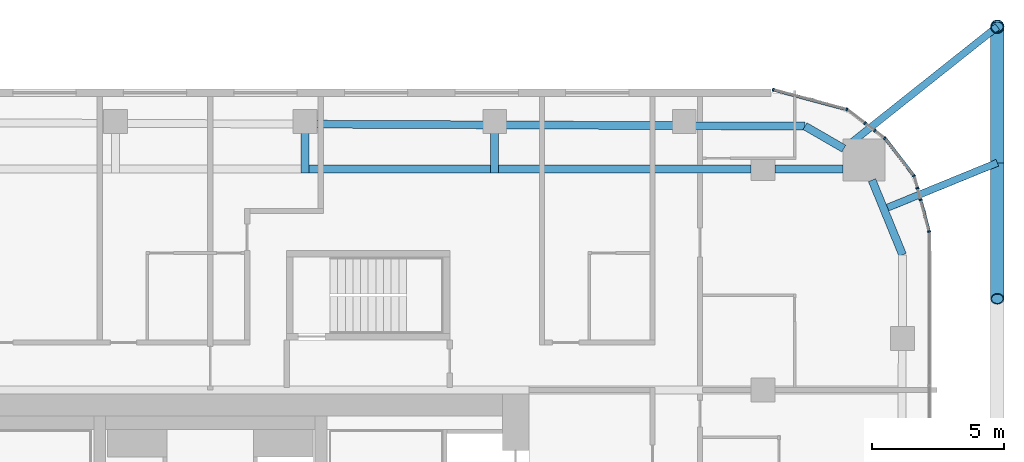
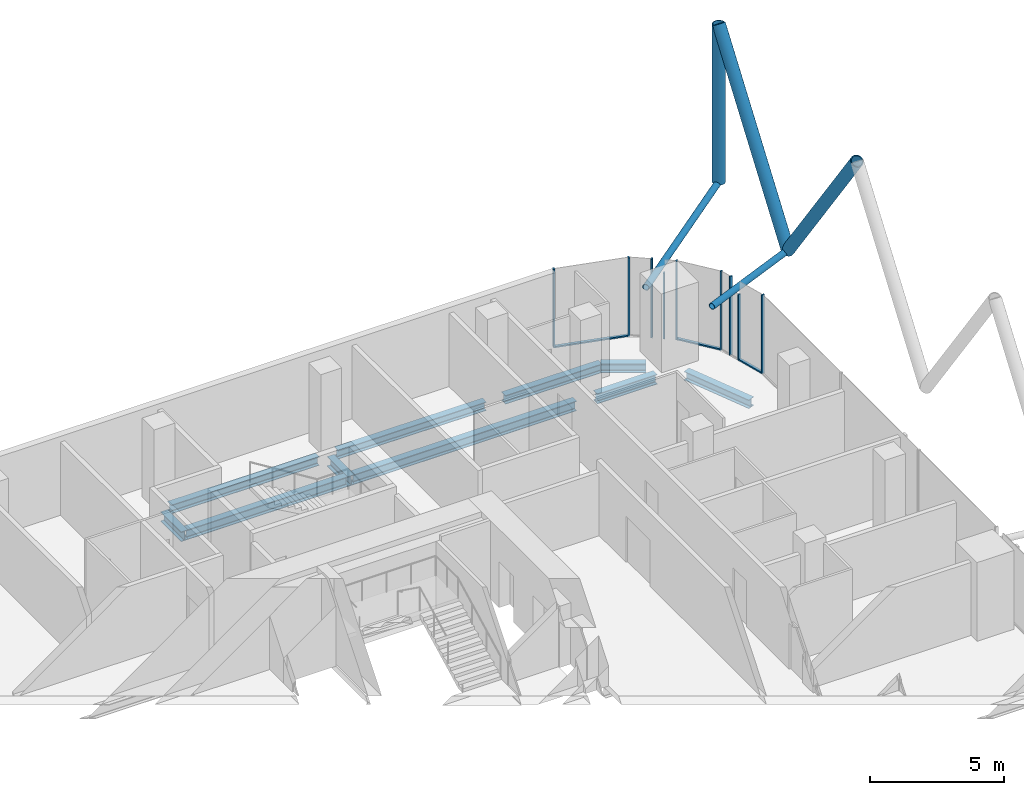
# One storey, part 14 of 36: 17 members, 10 beams, 8 elements without a shape of their own.
"""IFC4 building model written with IfcOpenShell, lengths in metres."""

from ifc_helpers import new_model, si_unit, direction, frame, origin, origin_2d, place, context, subcontext, project, spatial, rectangle, hollow_circle, i_section, extrude, material, layer, layer_set, material_profile, profile_set, type_object, element, aggregate, save


model = new_model("IFC4")

# Units and contexts
model_context = context("Model", 3, precision=1e-05, world=origin(), true_north=direction((0.0, 1.0)))
body_context = subcontext(model_context, "Body", "Model", "MODEL_VIEW")
ifc_project = project(units=[si_unit("LENGTHUNIT", "METRE"), si_unit("AREAUNIT", "SQUARE_METRE"), si_unit("VOLUMEUNIT", "CUBIC_METRE"), si_unit("PLANEANGLEUNIT", "RADIAN"), si_unit("MASSUNIT", "GRAM", prefix="KILO")], contexts=[model_context])

# Site, building, storey
site_placement = place(None, origin())
site = spatial("IfcSite", under=ifc_project, at=site_placement, CompositionType="ELEMENT")
building_placement = place(site_placement, origin())
building = spatial("IfcBuilding", under=site, at=building_placement, Name="Marenta Gate Hotel Tower", CompositionType="ELEMENT")
storey_placement = place(building_placement, frame((0.0, 0.0, 144.5)))
storey = spatial("IfcBuildingStorey", under=building, at=storey_placement, Name="L33", CompositionType="ELEMENT", Elevation=144.5)

# Members
ifc_material_1 = material(Name="Steel S355J2W", Category="steel")
ifc_material_profile_1 = material_profile(ifc_material_1, hollow_circle(Radius=0.25390625, WallThickness=0.02490234375, at=origin_2d()), Name="CHS 508x25")
ifc_profile_set_1 = profile_set([ifc_material_profile_1], Name="Steel S355J2W")
member_type_1 = type_object("IfcMemberType", Name="Diagrid corner post Z2 CHS 508x25", PredefinedType="POST", material=ifc_profile_set_1)
member_1_placement = place(storey_placement, frame((29.89990234375, 30.60009765625, 3.139892578125), z_axis=(0.0, 0.0, 1.0), x_axis=(1.0, 0.0, 0.0)))
element("IfcMember", 1, at=member_1_placement, inside=storey, type_object=member_type_1, Name="L33-DR-1", PredefinedType="POST", context=body_context, shape_type="SweptSolid", body=[
    extrude(hollow_circle(Radius=0.25390625, WallThickness=0.02490234375, at=origin_2d()), origin(), (0.0, 0.0, 1.0), 7.2001953125),
])
ifc_material_2 = material(Name="Steel S355J2W", Category="steel")
ifc_material_profile_2 = material_profile(ifc_material_2, hollow_circle(Radius=0.25390625, WallThickness=0.0400390625, at=origin_2d()), Name="CHS 508x40")
ifc_profile_set_2 = profile_set([ifc_material_profile_2], Name="Steel S355J2W")
member_type_2 = type_object("IfcMemberType", Name="Diagrid diagonal Z2 CHS 508x40", PredefinedType="BRACE", material=ifc_profile_set_2)
member_2_placement = place(storey_placement, frame((29.89990234375, 25.429931640625, 3.139892578125), z_axis=(0.0, 0.583265964901, 0.81228124082), x_axis=(-1.0, 0.0, 0.0)))
element("IfcMember", 2, at=member_2_placement, inside=storey, type_object=member_type_2, Name="L33-DG-1", PredefinedType="BRACE", context=body_context, shape_type="SweptSolid", body=[
    extrude(hollow_circle(Radius=0.25390625, WallThickness=0.0400390625, at=origin_2d()), origin(), (0.0, 0.0, 1.0), 8.8642578125),
])
member_3_placement = place(storey_placement, frame((29.89990234375, 25.429931640625, 3.139892578125), z_axis=(0.0, -0.583247791947, 0.812294289767), x_axis=(1.0, 0.0, 0.0)))
element("IfcMember", 3, at=member_3_placement, inside=storey, type_object=member_type_2, Name="L33-DG-2", PredefinedType="BRACE", context=body_context, shape_type="SweptSolid", body=[
    extrude(hollow_circle(Radius=0.25390625, WallThickness=0.0400390625, at=origin_2d()), origin(), (0.0, 0.0, 1.0), 8.864013671875),
])

# Beams
ifc_material_3 = material(Name="Steel S355", Category="steel")
ifc_material_profile_3 = material_profile(ifc_material_3, i_section(OverallWidth=0.300048828125, OverallDepth=0.39990234375, WebThickness=0.013427734375, FlangeThickness=0.02392578125, FilletRadius=0.027099609375, at=origin_2d()), Name="HEB 400")
ifc_profile_set_3 = profile_set([ifc_material_profile_3], Name="Steel S355")
beam_type_1 = type_object("IfcBeamType", Name="Edge beam HEB 400", PredefinedType="SPANDREL", material=ifc_profile_set_3)
beam_1_placement = place(storey_placement, frame((4.011474609375, 26.89697265625, -0.4599609375), z_axis=(0.999991780119, -0.004054589324, 0.0), x_axis=(0.004054589324, 0.999991780119, 0.0)))
element("IfcBeam", 4, at=beam_1_placement, inside=storey, type_object=beam_type_1, Name="L33-EB-17", PredefinedType="SPANDREL", context=body_context, shape_type="SweptSolid", body=[
    extrude(i_section(OverallWidth=0.300048828125, OverallDepth=0.39990234375, WebThickness=0.013427734375, FlangeThickness=0.02392578125, FilletRadius=0.027099609375, at=origin_2d()), origin(), (0.0, 0.0, 1.0), 6.382568359375),
])
beam_2_placement = place(storey_placement, frame((11.214111328125, 26.86767578125, -0.4599609375), z_axis=(0.999991780748, -0.00405443424, 0.0), x_axis=(0.00405443424, 0.999991780748, 0.0)))
element("IfcBeam", 5, at=beam_2_placement, inside=storey, type_object=beam_type_1, Name="L33-EB-18", PredefinedType="SPANDREL", context=body_context, shape_type="SweptSolid", body=[
    extrude(i_section(OverallWidth=0.300048828125, OverallDepth=0.39990234375, WebThickness=0.013427734375, FlangeThickness=0.02392578125, FilletRadius=0.027099609375, at=origin_2d()), origin(), (0.0, 0.0, 1.0), 6.3828125),
])
beam_3_placement = place(storey_placement, frame((18.4169921875, 26.83837890625, -0.4599609375), z_axis=(0.999991621459, -0.004093532953, 0.0), x_axis=(0.004093532953, 0.999991621459, 0.0)))
element("IfcBeam", 6, at=beam_3_placement, inside=storey, type_object=beam_type_1, Name="L33-EB-19", PredefinedType="SPANDREL", context=body_context, shape_type="SweptSolid", body=[
    extrude(i_section(OverallWidth=0.300048828125, OverallDepth=0.39990234375, WebThickness=0.013427734375, FlangeThickness=0.02392578125, FilletRadius=0.027099609375, at=origin_2d()), origin(), (0.0, 0.0, 1.0), 4.1748046875),
])
beam_4_placement = place(storey_placement, frame((22.591796875, 26.8212890625, -0.4599609375), z_axis=(0.866016478054, -0.500015459501, 0.0), x_axis=(0.500015459501, 0.866016478054, 0.0)))
element("IfcBeam", 7, at=beam_4_placement, inside=storey, type_object=beam_type_1, Name="L33-EB-20", PredefinedType="SPANDREL", context=body_context, shape_type="SweptSolid", body=[
    extrude(i_section(OverallWidth=0.300048828125, OverallDepth=0.39990234375, WebThickness=0.013427734375, FlangeThickness=0.02392578125, FilletRadius=0.027099609375, at=origin_2d()), origin(), (0.0, 0.0, 1.0), 1.70703125),
])
beam_5_placement = place(storey_placement, frame((25.138916015625, 24.7724609375, -0.4599609375), z_axis=(0.378682450416, -0.925526661824, 0.0), x_axis=(0.925526661824, 0.378682450416, 0.0)))
element("IfcBeam", 8, at=beam_5_placement, inside=storey, type_object=beam_type_1, Name="L33-EB-21", PredefinedType="SPANDREL", context=body_context, shape_type="SweptSolid", body=[
    extrude(i_section(OverallWidth=0.300048828125, OverallDepth=0.39990234375, WebThickness=0.013427734375, FlangeThickness=0.02392578125, FilletRadius=0.027099609375, at=origin_2d()), origin(), (0.0, 0.0, 1.0), 3.066162109375),
])

# Members
ifc_material_4 = material(Name="Steel S355J2W", Category="steel")
ifc_material_profile_4 = material_profile(ifc_material_4, hollow_circle(Radius=0.136474609375, WallThickness=0.012451171875, at=origin_2d()), Name="CHS 273x12.5")
ifc_profile_set_4 = profile_set([ifc_material_profile_4], Name="Steel S355J2W")
member_type_3 = type_object("IfcMemberType", Name="Floor tie CHS 273x12.5", PredefinedType="STRUT", material=ifc_profile_set_4)
member_4_placement = place(storey_placement, frame((29.89990234375, 30.60009765625, 3.139892578125), z_axis=(-0.782942525187, -0.622094046149, 0.0), x_axis=(0.622094046149, -0.782942525187, 0.0)))
element("IfcMember", 9, at=member_4_placement, inside=storey, type_object=member_type_3, Name="L33-DR-7", PredefinedType="STRUT", context=body_context, shape_type="SweptSolid", body=[
    extrude(hollow_circle(Radius=0.136474609375, WallThickness=0.012451171875, at=origin_2d()), origin(), (0.0, 0.0, 1.0), 7.43896484375),
])
member_5_placement = place(storey_placement, frame((29.89990234375, 25.429931640625, 3.139892578125), z_axis=(-0.925554485394, -0.378614440516, 0.0), x_axis=(0.378614440516, -0.925554485394, 0.0)))
element("IfcMember", 10, at=member_5_placement, inside=storey, type_object=member_type_3, Name="L33-DR-8", PredefinedType="STRUT", context=body_context, shape_type="SweptSolid", body=[
    extrude(hollow_circle(Radius=0.136474609375, WallThickness=0.012451171875, at=origin_2d()), origin(), (0.0, 0.0, 1.0), 4.6484375),
])

# Beams
ifc_material_5 = material(Name="Steel S355", Category="steel")
ifc_material_profile_5 = material_profile(ifc_material_5, i_section(OverallWidth=0.300048828125, OverallDepth=0.449951171875, WebThickness=0.013916015625, FlangeThickness=0.02587890625, FilletRadius=0.027099609375, at=origin_2d()), Name="HEB 450")
ifc_profile_set_5 = profile_set([ifc_material_profile_5], Name="Steel S355")
beam_type_2 = type_object("IfcBeamType", Name="Girder HEB 450", PredefinedType="BEAM", material=ifc_profile_set_5)
beam_6_placement = place(storey_placement, frame((3.75146484375, 25.199951171875, -0.485107421875), z_axis=(1.0, 0.0, 0.0), x_axis=(0.0, 1.0, 0.0)))
element("IfcBeam", 11, at=beam_6_placement, inside=storey, type_object=beam_type_2, Name="L33-GD-33", PredefinedType="BEAM", context=body_context, shape_type="SweptSolid", body=[
    extrude(i_section(OverallWidth=0.300048828125, OverallDepth=0.449951171875, WebThickness=0.013916015625, FlangeThickness=0.02587890625, FilletRadius=0.027099609375, at=origin_2d()), origin(), (0.0, 0.0, 1.0), 6.902587890625),
])
beam_7_placement = place(storey_placement, frame((10.9541015625, 25.199951171875, -0.485107421875), z_axis=(1.0, 0.0, 0.0), x_axis=(0.0, 1.0, 0.0)))
element("IfcBeam", 12, at=beam_7_placement, inside=storey, type_object=beam_type_2, Name="L33-GD-34", PredefinedType="BEAM", context=body_context, shape_type="SweptSolid", body=[
    extrude(i_section(OverallWidth=0.300048828125, OverallDepth=0.449951171875, WebThickness=0.013916015625, FlangeThickness=0.02587890625, FilletRadius=0.027099609375, at=origin_2d()), origin(), (0.0, 0.0, 1.0), 9.595947265625),
])
beam_8_placement = place(storey_placement, frame((21.449951171875, 25.199951171875, -0.485107421875), z_axis=(1.0, 0.0, 0.0), x_axis=(0.0, 1.0, 0.0)))
element("IfcBeam", 13, at=beam_8_placement, inside=storey, type_object=beam_type_2, Name="L33-GD-35", PredefinedType="BEAM", context=body_context, shape_type="SweptSolid", body=[
    extrude(i_section(OverallWidth=0.300048828125, OverallDepth=0.449951171875, WebThickness=0.013916015625, FlangeThickness=0.02587890625, FilletRadius=0.027099609375, at=origin_2d()), origin(), (0.0, 0.0, 1.0), 2.58544921875),
])
ifc_material_6 = material(Name="Steel S355", Category="steel")
ifc_material_profile_6 = material_profile(ifc_material_6, i_section(OverallWidth=0.300048828125, OverallDepth=0.449951171875, WebThickness=0.013916015625, FlangeThickness=0.02587890625, FilletRadius=0.027099609375, at=origin_2d()), Name="HEB 450")
ifc_profile_set_6 = profile_set([ifc_material_profile_6], Name="Steel S355")
beam_type_3 = type_object("IfcBeamType", Name="Girder bracket HEB 450", PredefinedType="BEAM", material=ifc_profile_set_6)
for number, where, z_axis, x_axis, name in (
    (14, (3.601318359375, 25.050048828125, -0.485107421875), (0.0, 1.0, 0.0), (-1.0, 0.0, 0.0), "L33-GS-3"),
    (15, (10.80419921875, 25.050048828125, -0.485107421875), (0.0, 1.0, 0.0), (-1.0, 0.0, 0.0), "L33-GS-4"),
):
    element("IfcBeam", number, at=place(storey_placement, frame(where, z_axis=z_axis, x_axis=x_axis)), inside=storey, type_object=beam_type_3, Name=name, PredefinedType="BEAM", context=body_context, shape_type="SweptSolid", body=[
        extrude(i_section(OverallWidth=0.300048828125, OverallDepth=0.449951171875, WebThickness=0.013916015625, FlangeThickness=0.02587890625, FilletRadius=0.027099609375, at=origin_2d()), origin(), (0.0, 0.0, 1.0), 1.5400390625),
    ])

# Curtain wall, member
ifc_material_7 = material(Name="Tinted insulated glass in bronze anodised frame", Category="glass")
ifc_layer = layer(ifc_material_7, 0.1201171875)
ifc_layer_set = layer_set([ifc_layer], Name="Tinted insulated glass in bronze anodised frame")
curtain_wall_type = type_object("IfcCurtainWallType", Name="Tower unitised curtain wall CW1", PredefinedType="NOTDEFINED", material=ifc_layer_set)
curtain_wall_1_placement = place(storey_placement, origin())
curtain_wall_1 = element("IfcCurtainWall", 16, at=curtain_wall_1_placement, inside=storey, type_object=curtain_wall_type, Name="CW1 run G36", PredefinedType="NOTDEFINED")
ifc_material_8 = material(Name="Bronze anodised aluminium", Category="aluminium")
ifc_material_profile_7 = material_profile(ifc_material_8, rectangle(XDim=0.1201171875, YDim=0.06005859375, at=origin_2d()), Name="Mullion CW1 60x120 bronze anodised aluminium")
ifc_profile_set_7 = profile_set([ifc_material_profile_7], Name="Bronze anodised aluminium")
member_type_4 = type_object("IfcMemberType", Name="Mullion CW1 60x120 bronze anodised aluminium", PredefinedType="MULLION", material=ifc_profile_set_7)
member_6_placement = place(storey_placement, frame((27.30615234375, 22.82080078125, 0.0), z_axis=(0.0, 0.0, 1.0), x_axis=(-0.965926558196, -0.258816313572, 0.0)))
member_6 = element("IfcMember", 17, at=member_6_placement, type_object=member_type_4, Name="CW1 mullion 1", PredefinedType="MULLION", context=body_context, shape_type="SweptSolid", body=[
    extrude(rectangle(XDim=0.1201171875, YDim=0.06005859375, at=origin_2d()), origin(), (0.0, 0.0, 1.0), 3.60009765625),
])

curtain_wall_2_placement = place(storey_placement, origin())
curtain_wall_2 = element("IfcCurtainWall", 18, at=curtain_wall_2_placement, inside=storey, type_object=curtain_wall_type, Name="CW1 run G37", PredefinedType="NOTDEFINED")
member_7_placement = place(storey_placement, frame((26.983642578125, 24.0244140625, 0.0), z_axis=(0.0, 0.0, 1.0), x_axis=(-0.965921659399, -0.258834595648, 0.0)))
member_7 = element("IfcMember", 19, at=member_7_placement, type_object=member_type_4, Name="CW1 mullion 1", PredefinedType="MULLION", context=body_context, shape_type="SweptSolid", body=[
    extrude(rectangle(XDim=0.1201171875, YDim=0.06005859375, at=origin_2d()), origin(), (0.0, 0.0, 1.0), 3.00048828125),
])
aggregate(curtain_wall_2, [member_7])

curtain_wall_3_placement = place(storey_placement, origin())
curtain_wall_3 = element("IfcCurtainWall", 20, at=curtain_wall_3_placement, inside=storey, type_object=curtain_wall_type, Name="CW1 run G38", PredefinedType="NOTDEFINED")
member_8_placement = place(storey_placement, frame((26.865478515625, 24.465576171875, 0.0), z_axis=(0.0, 0.0, 1.0), x_axis=(-0.965923527755, -0.258827623196, 0.0)))
member_8 = element("IfcMember", 21, at=member_8_placement, type_object=member_type_4, Name="CW1 mullion 1", PredefinedType="MULLION", context=body_context, shape_type="SweptSolid", body=[
    extrude(rectangle(XDim=0.1201171875, YDim=0.06005859375, at=origin_2d()), origin(), (0.0, 0.0, 1.0), 3.60009765625),
])
aggregate(curtain_wall_3, [member_8])

curtain_wall_4_placement = place(storey_placement, origin())
curtain_wall_4 = element("IfcCurtainWall", 22, at=curtain_wall_4_placement, inside=storey, type_object=curtain_wall_type, Name="CW1 run G39", PredefinedType="NOTDEFINED")
member_9_placement = place(storey_placement, frame((26.727783203125, 24.93505859375, 0.0), z_axis=(0.0, 0.0, 1.0), x_axis=(-0.793326722289, -0.608796116694, 0.0)))
member_9 = element("IfcMember", 23, at=member_9_placement, type_object=member_type_4, Name="CW1 mullion 1", PredefinedType="MULLION", context=body_context, shape_type="SweptSolid", body=[
    extrude(rectangle(XDim=0.1201171875, YDim=0.06005859375, at=origin_2d()), origin(), (0.0, 0.0, 1.0), 3.60009765625),
])

curtain_wall_5_placement = place(storey_placement, origin())
curtain_wall_5 = element("IfcCurtainWall", 24, at=curtain_wall_5_placement, inside=storey, type_object=curtain_wall_type, Name="CW1 run G40", PredefinedType="NOTDEFINED")
member_10_placement = place(storey_placement, frame((25.62158203125, 26.36376953125, 0.0), z_axis=(0.0, 0.0, 1.0), x_axis=(-0.608778467767, -0.793340265701, 0.0)))
member_10 = element("IfcMember", 25, at=member_10_placement, type_object=member_type_4, Name="CW1 mullion 1", PredefinedType="MULLION", context=body_context, shape_type="SweptSolid", body=[
    extrude(rectangle(XDim=0.1201171875, YDim=0.06005859375, at=origin_2d()), origin(), (0.0, 0.0, 1.0), 3.60009765625),
])
aggregate(curtain_wall_5, [member_10])

curtain_wall_6_placement = place(storey_placement, origin())
curtain_wall_6 = element("IfcCurtainWall", 26, at=curtain_wall_6_placement, inside=storey, type_object=curtain_wall_type, Name="CW1 run G41", PredefinedType="NOTDEFINED")
member_11_placement = place(storey_placement, frame((25.247314453125, 26.651123046875, 0.0), z_axis=(0.0, 0.0, 1.0), x_axis=(-0.608737274752, -0.79337187392, 0.0)))
member_11 = element("IfcMember", 27, at=member_11_placement, type_object=member_type_4, Name="CW1 mullion 1", PredefinedType="MULLION", context=body_context, shape_type="SweptSolid", body=[
    extrude(rectangle(XDim=0.1201171875, YDim=0.06005859375, at=origin_2d()), origin(), (0.0, 0.0, 1.0), 3.00048828125),
])
aggregate(curtain_wall_6, [member_11])

curtain_wall_7_placement = place(storey_placement, origin())
curtain_wall_7 = element("IfcCurtainWall", 28, at=curtain_wall_7_placement, inside=storey, type_object=curtain_wall_type, Name="CW1 run G42", PredefinedType="NOTDEFINED")
member_12_placement = place(storey_placement, frame((24.876953125, 26.935302734375, 0.0), z_axis=(0.0, 0.0, 1.0), x_axis=(-0.608837310591, -0.793295108539, 0.0)))
member_12 = element("IfcMember", 29, at=member_12_placement, type_object=member_type_4, Name="CW1 mullion 1", PredefinedType="MULLION", context=body_context, shape_type="SweptSolid", body=[
    extrude(rectangle(XDim=0.1201171875, YDim=0.06005859375, at=origin_2d()), origin(), (0.0, 0.0, 1.0), 3.60009765625),
])
aggregate(curtain_wall_7, [member_12])

# Curtain wall, members
curtain_wall_8_placement = place(storey_placement, origin())
curtain_wall_8 = element("IfcCurtainWall", 30, at=curtain_wall_8_placement, inside=storey, type_object=curtain_wall_type, Name="CW1 run G43", PredefinedType="NOTDEFINED")
member_13_placement = place(storey_placement, frame((24.182373046875, 27.453857421875, 0.0), z_axis=(0.0, 0.0, 1.0), x_axis=(-0.258805989975, -0.965929324305, 0.0)))
member_13 = element("IfcMember", 31, at=member_13_placement, type_object=member_type_4, Name="CW1 mullion 1", PredefinedType="MULLION", context=body_context, shape_type="SweptSolid", body=[
    extrude(rectangle(XDim=0.1201171875, YDim=0.06005859375, at=origin_2d()), origin(), (0.0, 0.0, 1.0), 3.60009765625),
])
member_14_placement = place(storey_placement, frame((21.385498046875, 28.203125, 0.0), z_axis=(0.0, 0.0, 1.0), x_axis=(-0.258805989975, -0.965929324305, 0.0)))
member_14 = element("IfcMember", 32, at=member_14_placement, type_object=member_type_4, Name="CW1 mullion 2", PredefinedType="MULLION", context=body_context, shape_type="SweptSolid", body=[
    extrude(rectangle(XDim=0.1201171875, YDim=0.06005859375, at=origin_2d()), origin(), (0.0, 0.0, 1.0), 3.60009765625),
])

# Member
ifc_material_9 = material(Name="Bronze anodised aluminium", Category="aluminium")
ifc_material_profile_8 = material_profile(ifc_material_9, rectangle(XDim=0.1201171875, YDim=0.06005859375, at=origin_2d()), Name="Transom CW1 60x120 bronze anodised aluminium")
ifc_profile_set_8 = profile_set([ifc_material_profile_8], Name="Bronze anodised aluminium")
member_type_5 = type_object("IfcMemberType", Name="Transom CW1 60x120 bronze anodised aluminium", PredefinedType="USERDEFINED", material=ifc_profile_set_8)
member_15_placement = place(storey_placement, frame((27.298583984375, 22.849853515625, 0.030029296875), z_axis=(-0.2589178316, 0.965899351112, 0.0), x_axis=(-0.965899351112, -0.2589178316, 0.0)))
member_15 = element("IfcMember", 33, at=member_15_placement, type_object=member_type_5, Name="CW1 transom 1.1", ObjectType="TRANSOM", PredefinedType="USERDEFINED", context=body_context, shape_type="SweptSolid", body=[
    extrude(rectangle(XDim=0.1201171875, YDim=0.06005859375, at=origin_2d()), origin(), (0.0, 0.0, 1.0), 1.186279296875),
])

aggregate(curtain_wall_1, [member_6, member_15])

member_16_placement = place(storey_placement, frame((26.70947265625, 24.958984375, 0.030029296875), z_axis=(-0.608792205599, 0.793329723634, 0.0), x_axis=(-0.793329723634, -0.608792205599, 0.0)))
member_16 = element("IfcMember", 34, at=member_16_placement, type_object=member_type_5, Name="CW1 transom 1.1", ObjectType="TRANSOM", PredefinedType="USERDEFINED", context=body_context, shape_type="SweptSolid", body=[
    extrude(rectangle(XDim=0.1201171875, YDim=0.06005859375, at=origin_2d()), origin(), (0.0, 0.0, 1.0), 1.74755859375),
])

aggregate(curtain_wall_4, [member_9, member_16])

member_17_placement = place(storey_placement, frame((24.1533203125, 27.461669921875, 0.030029296875), z_axis=(-0.965922684272, 0.258830770986, 0.0), x_axis=(-0.258830770986, -0.965922684272, 0.0)))
member_17 = element("IfcMember", 35, at=member_17_placement, type_object=member_type_5, Name="CW1 transom 1.1", ObjectType="TRANSOM", PredefinedType="USERDEFINED", context=body_context, shape_type="SweptSolid", body=[
    extrude(rectangle(XDim=0.1201171875, YDim=0.06005859375, at=origin_2d()), origin(), (0.0, 0.0, 1.0), 2.83544921875),
])

aggregate(curtain_wall_8, [member_13, member_14, member_17])

save(model, "model.ifc")
